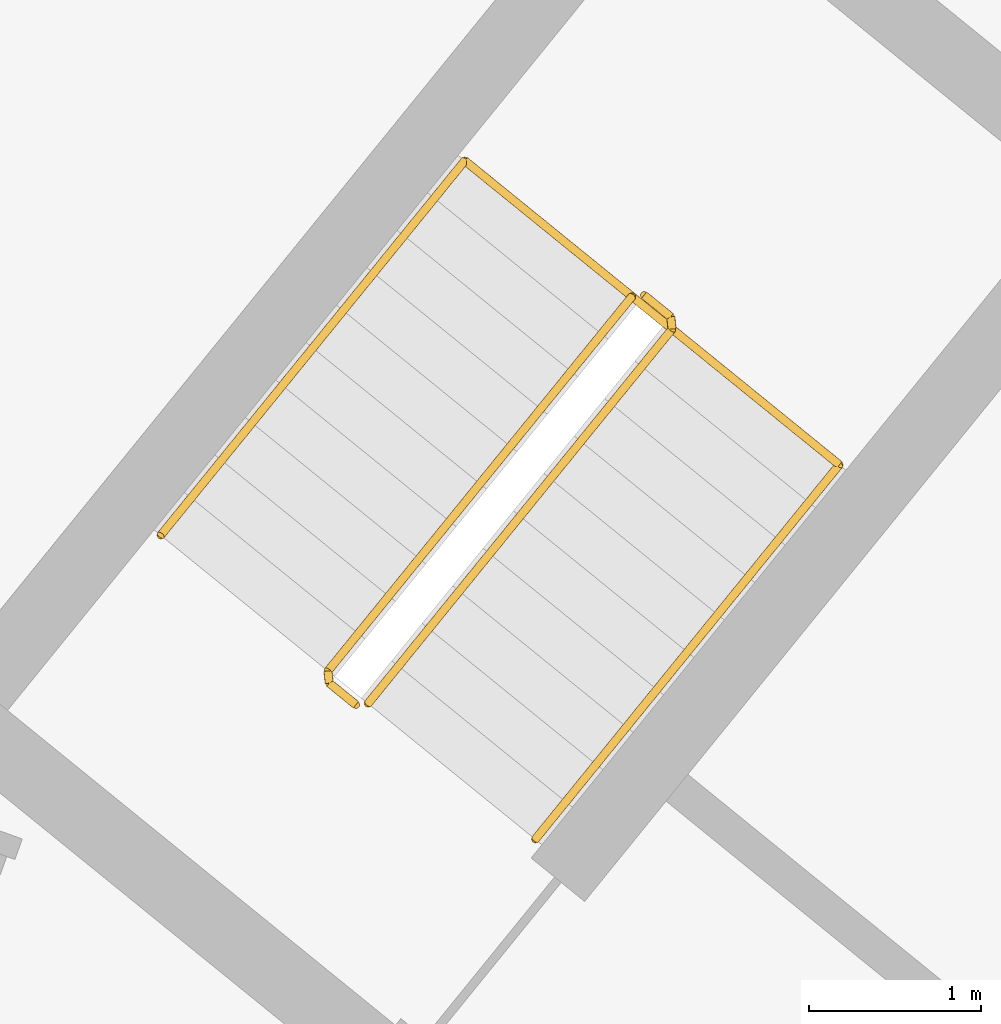
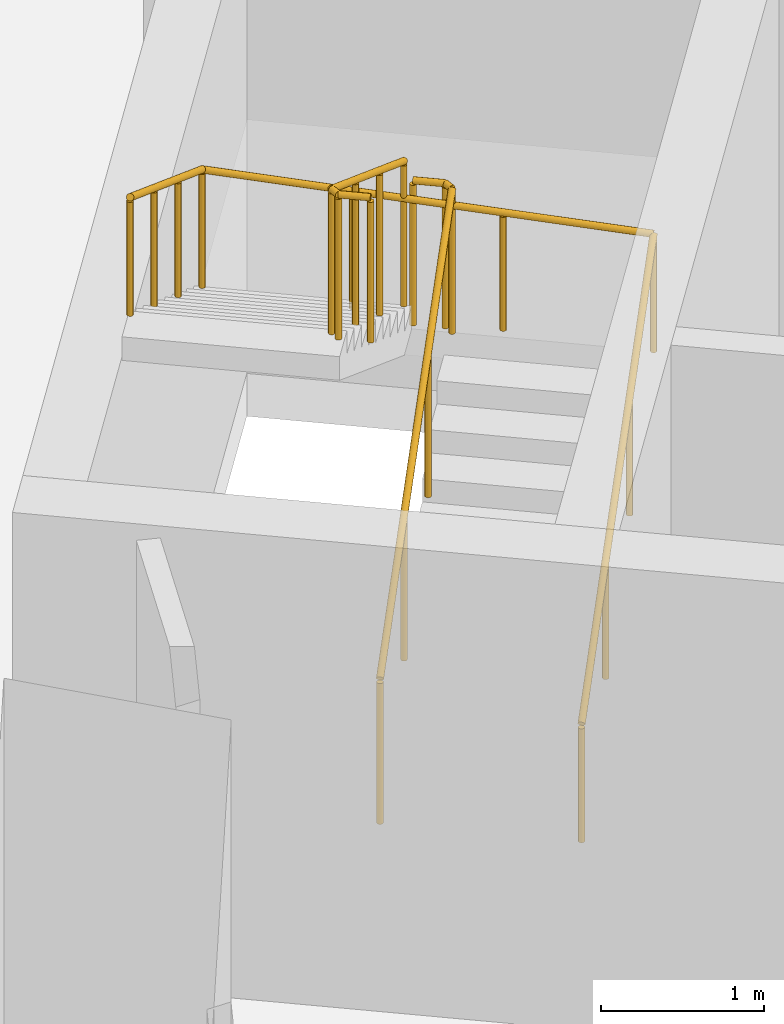
# One storey, part 21 of 21: 3 railings.
"""IFC4 building model written with IfcOpenShell, lengths in metres."""

from ifc_helpers import new_model, si_unit, direction, frame, origin, origin_2d, place, context, subcontext, project, spatial, circle, extrude, material, type_object, element, save


model = new_model("IFC4")

# Units and contexts
model_context = context("Model", 3, precision=1e-05, world=origin(), true_north=direction((0.0, 1.0)))
body_context = subcontext(model_context, "Body", "Model", "MODEL_VIEW")
ifc_project = project(units=[si_unit("LENGTHUNIT", "METRE"), si_unit("AREAUNIT", "SQUARE_METRE"), si_unit("VOLUMEUNIT", "CUBIC_METRE"), si_unit("PLANEANGLEUNIT", "RADIAN"), si_unit("MASSUNIT", "GRAM", prefix="KILO")], contexts=[model_context])

# Site, building, storey
site_placement = place(None, origin())
site = spatial("IfcSite", under=ifc_project, at=site_placement, CompositionType="ELEMENT")
building_placement = place(site_placement, origin())
building = spatial("IfcBuilding", under=site, at=building_placement, Name="Stone Belt Terrace Tower", CompositionType="ELEMENT")
storey_placement = place(building_placement, frame((0.0, 0.0, 60.39990234375)))
storey = spatial("IfcBuildingStorey", under=building, at=storey_placement, Name="L14", CompositionType="ELEMENT", Elevation=60.39990234375)

# Railings
ifc_material = material(Name="Structural steel C345", Category="steel")
railing_type_1 = type_object("IfcRailingType", Name="Stair guard 1100", PredefinedType="GUARDRAIL", material=ifc_material)
railing_1_placement = place(storey_placement, frame((29.39794921875, 38.281982421875, 0.1728515625)))
element("IfcRailing", 1, at=railing_1_placement, inside=storey, type_object=railing_type_1, Name="L14 ST3B stair guard 1", PredefinedType="GUARDRAIL", context=body_context, shape_type="SweptSolid", body=[
    extrude(circle(Radius=0.02392578125, at=origin_2d()), frame((0.0, 0.0, 1.076171875), z_axis=(0.536393061503, 0.660769759217, 0.525038864158), x_axis=(-0.776391310223, 0.630251166924, 0.0)), (0.0, 0.0, 1.0), 3.289794921875),
    extrude(circle(Radius=0.02392578125, at=origin_2d()), frame((1.7646484375, 2.173828125, 2.80322265625), z_axis=(-0.103251414163, 0.994655289773, 0.0), x_axis=(-0.994655289773, -0.103251414163, 0.0)), (0.0, 0.0, 1.0), 0.071044921875),
    extrude(circle(Radius=0.02392578125, at=origin_2d()), frame((1.75732421875, 2.244384765625, 2.80322265625), z_axis=(-0.776561986372, 0.630040856868, 0.0), x_axis=(-0.630040856868, -0.776561986372, 0.0)), (0.0, 0.0, 1.0), 0.199951171875),
    extrude(circle(Radius=0.02099609375, at=origin_2d()), origin(), (0.0, 0.0, 1.0), 1.052001953125),
    extrude(circle(Radius=0.02099609375, at=origin_2d()), frame((0.588134765625, 0.724609375, 0.57568359375)), (0.0, 0.0, 1.0), 1.052001953125),
    extrude(circle(Radius=0.02099609375, at=origin_2d()), frame((1.176513671875, 1.44921875, 1.151611328125)), (0.0, 0.0, 1.0), 1.052001953125),
    extrude(circle(Radius=0.02099609375, at=origin_2d()), frame((1.7646484375, 2.173828125, 1.727294921875)), (0.0, 0.0, 1.0), 1.052001953125),
    extrude(circle(Radius=0.02099609375, at=origin_2d()), frame((1.75732421875, 2.244384765625, 1.727294921875)), (0.0, 0.0, 1.0), 1.052001953125),
    extrude(circle(Radius=0.02099609375, at=origin_2d()), frame((1.60205078125, 2.370361328125, 1.727294921875)), (0.0, 0.0, 1.0), 1.052001953125),
])
railing_2_placement = place(storey_placement, frame((30.9296875, 40.64501953125, 2.07275390625)))
element("IfcRailing", 2, at=railing_2_placement, inside=storey, type_object=railing_type_1, Name="L14 ST3B stair guard 2", PredefinedType="GUARDRAIL", context=body_context, shape_type="SweptSolid", body=[
    extrude(circle(Radius=0.02392578125, at=origin_2d()), frame((0.0, 0.0, 1.076171875), z_axis=(-0.536366759382, -0.660811565066, 0.525013118792), x_axis=(0.776425942316, -0.630208502084, 0.0)), (0.0, 0.0, 1.0), 3.2900390625),
    extrude(circle(Radius=0.02392578125, at=origin_2d()), frame((-1.7646484375, -2.174072265625, 2.80322265625), z_axis=(0.103606084259, -0.994618408891, 0.0), x_axis=(0.994618408891, 0.103606084259, 0.0)), (0.0, 0.0, 1.0), 0.07080078125),
    extrude(circle(Radius=0.02392578125, at=origin_2d()), frame((-1.75732421875, -2.244384765625, 2.80322265625), z_axis=(0.776561986372, -0.630040856868, 0.0), x_axis=(0.630040856868, 0.776561986372, 0.0)), (0.0, 0.0, 1.0), 0.199951171875),
    extrude(circle(Radius=0.02099609375, at=origin_2d()), origin(), (0.0, 0.0, 1.0), 1.052001953125),
    extrude(circle(Radius=0.02099609375, at=origin_2d()), frame((-0.588134765625, -0.724609375, 0.57568359375)), (0.0, 0.0, 1.0), 1.052001953125),
    extrude(circle(Radius=0.02099609375, at=origin_2d()), frame((-1.176513671875, -1.449462890625, 1.151611328125)), (0.0, 0.0, 1.0), 1.052001953125),
    extrude(circle(Radius=0.02099609375, at=origin_2d()), frame((-1.7646484375, -2.174072265625, 1.727294921875)), (0.0, 0.0, 1.0), 1.052001953125),
    extrude(circle(Radius=0.02099609375, at=origin_2d()), frame((-1.75732421875, -2.244384765625, 1.727294921875)), (0.0, 0.0, 1.0), 1.052001953125),
    extrude(circle(Radius=0.02099609375, at=origin_2d()), frame((-1.60205078125, -2.370361328125, 1.727294921875)), (0.0, 0.0, 1.0), 1.052001953125),
])
railing_type_2 = type_object("IfcRailingType", Name="Stair handrail 900", PredefinedType="HANDRAIL", material=ifc_material)
railing_3_placement = place(storey_placement, frame((30.36865234375, 37.494140625, 0.1728515625)))
element("IfcRailing", 3, at=railing_3_placement, inside=storey, type_object=railing_type_2, Name="L14 ST3B stair handrail 1", PredefinedType="HANDRAIL", context=body_context, shape_type="SweptSolid", body=[
    extrude(circle(Radius=0.02392578125, at=origin_2d()), frame((0.0, 0.0, 0.8759765625), z_axis=(0.536366759382, 0.660811565066, 0.525013118792), x_axis=(-0.776425942316, 0.630208502084, 0.0)), (0.0, 0.0, 1.0), 3.2900390625),
    extrude(circle(Radius=0.02392578125, at=origin_2d()), frame((1.7646484375, 2.174072265625, 2.60302734375), z_axis=(-0.774954966459, 0.629014542119, 0.061526463929), x_axis=(-0.630208502084, -0.776425942316, 0.0)), (0.0, 0.0, 1.0), 2.805419921875),
    extrude(circle(Radius=0.02392578125, at=origin_2d()), frame((-0.409423828125, 3.938720703125, 2.77587890625), z_axis=(-0.536366759382, -0.660811565066, 0.525013118792), x_axis=(0.776425942316, -0.630208502084, 0.0)), (0.0, 0.0, 1.0), 3.2900390625),
    extrude(circle(Radius=0.02099609375, at=origin_2d()), origin(), (0.0, 0.0, 1.0), 0.851806640625),
    extrude(circle(Radius=0.02099609375, at=origin_2d()), frame((0.588134765625, 0.724609375, 0.57568359375)), (0.0, 0.0, 1.0), 0.851806640625),
    extrude(circle(Radius=0.02099609375, at=origin_2d()), frame((1.176513671875, 1.449462890625, 1.151611328125)), (0.0, 0.0, 1.0), 0.851806640625),
    extrude(circle(Radius=0.02099609375, at=origin_2d()), frame((1.7646484375, 2.174072265625, 1.727294921875)), (0.0, 0.0, 1.0), 0.851806640625),
    extrude(circle(Radius=0.02099609375, at=origin_2d()), frame((1.0400390625, 2.76220703125, 1.784912109375)), (0.0, 0.0, 1.0), 0.851806640625),
    extrude(circle(Radius=0.02099609375, at=origin_2d()), frame((0.315185546875, 3.3505859375, 1.84228515625)), (0.0, 0.0, 1.0), 0.851806640625),
    extrude(circle(Radius=0.02099609375, at=origin_2d()), frame((-0.409423828125, 3.938720703125, 1.89990234375)), (0.0, 0.0, 1.0), 0.851806640625),
    extrude(circle(Radius=0.02099609375, at=origin_2d()), frame((-0.99755859375, 3.214111328125, 2.4755859375)), (0.0, 0.0, 1.0), 0.851806640625),
    extrude(circle(Radius=0.02099609375, at=origin_2d()), frame((-1.5859375, 2.4892578125, 3.051513671875)), (0.0, 0.0, 1.0), 0.851806640625),
    extrude(circle(Radius=0.02099609375, at=origin_2d()), frame((-2.174072265625, 1.7646484375, 3.627197265625)), (0.0, 0.0, 1.0), 0.851806640625),
])

save(model, "model.ifc")
